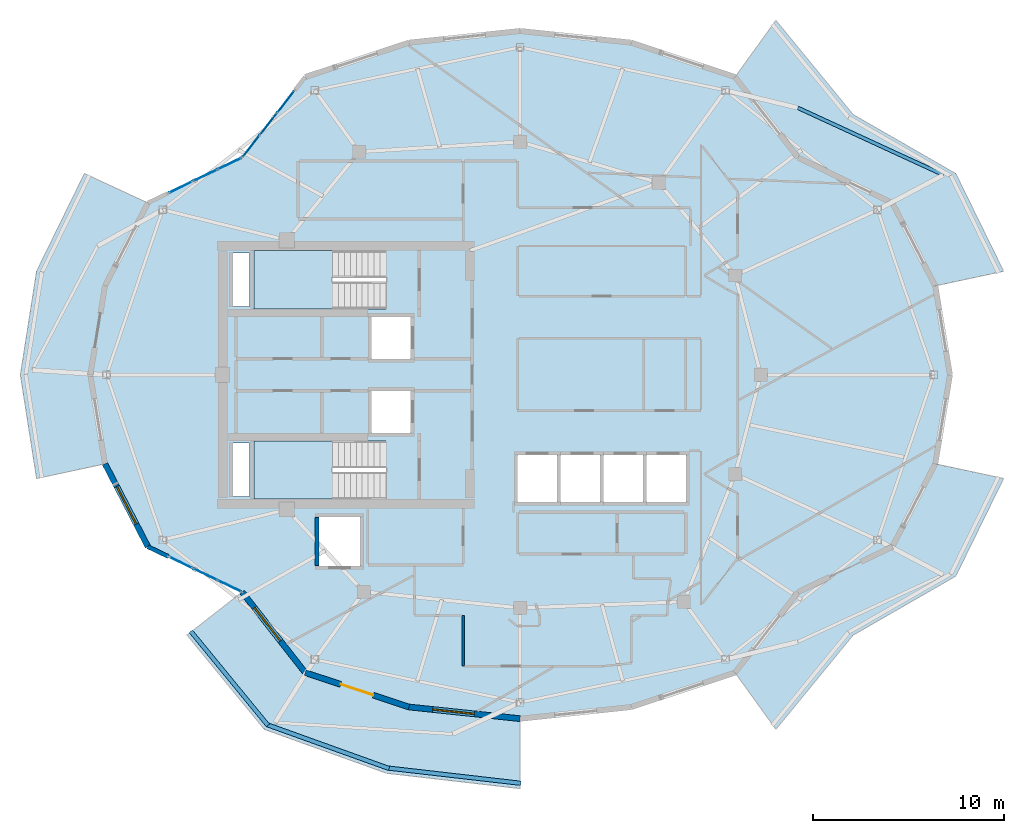
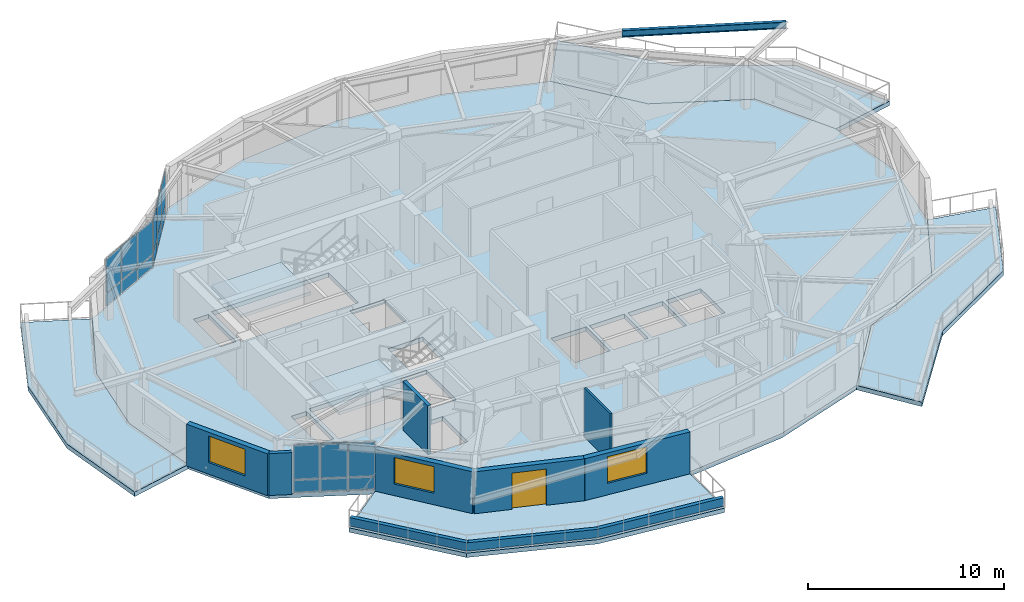
# One storey, part 6 of 14: 21 plates, 10 walls, 7 slabs, 3 windows, 1 beam, 1 door, 4 openings, 5 elements without a shape of their own.
"""IFC4 building model written with IfcOpenShell, lengths in metres."""

import ifcopenshell
import ifcopenshell.guid

model = None  # the IFC model being written
_history = None  # IfcOwnerHistory: only IFC2X3 demands one
_inside = {}  # id of a spatial element -> (the spatial element, [elements in it])
_under = {}  # id of a project, library or spatial element -> (it, [spatial elements below it])
_declared = {}  # id of a project -> (the project, [libraries it declares])
_typed = {}  # id of a type object -> (the type object, [elements of that type])
_made_of = {}  # id of a material, layer set ... -> (it, [elements and type objects made of it])


def new_model(schema):
    """Start an empty IFC model of exactly this schema.

    Asked for "IFC4X3", IfcOpenShell would pick the latest addendum, in which some entities
    have other attributes; the version numbers below select the first issue.
    IFC2X3 requires an IfcOwnerHistory on every rooted entity: one is made here for all.
    """
    global model, _history
    if schema == "IFC4X3":
        model = ifcopenshell.file(schema_version=(4, 3, 0, 0))
    else:
        model = ifcopenshell.file(schema=schema)
    _inside.clear()
    _under.clear()
    _declared.clear()
    _typed.clear()
    _made_of.clear()
    _history = None
    if model.schema == "IFC2X3":
        org = make("IfcOrganization", Name="unknown")
        user = make(
            "IfcPersonAndOrganization",
            ThePerson=make("IfcPerson", FamilyName="unknown"),
            TheOrganization=org,
        )
        app = make(
            "IfcApplication",
            ApplicationDeveloper=org,
            Version="unknown",
            ApplicationFullName="unknown",
            ApplicationIdentifier="unknown",
        )
        _history = make(
            "IfcOwnerHistory",
            OwningUser=user,
            OwningApplication=app,
            ChangeAction="ADDED",
            CreationDate=0,
        )
    return model


def make(cls, **values):
    """One entity of the class cls with the attributes given. An attribute that is None is left unset."""
    return model.create_entity(
        cls, **{name: value for name, value in values.items() if value is not None}
    )


def rooted(cls, **values):
    """An entity with a GlobalId (a new one), such as an element, a storey or a relation."""
    return make(cls, GlobalId=ifcopenshell.guid.new(), OwnerHistory=_history, **values)


def si_unit(unit_type, name, prefix=None):
    """IfcSIUnit, for example si_unit("LENGTHUNIT", "METRE", prefix="MILLI")."""
    return make("IfcSIUnit", UnitType=unit_type, Prefix=prefix, Name=name)


def assignment(units):
    """IfcUnitAssignment: the units of a project."""
    return None if units is None else make("IfcUnitAssignment", Units=units)


def point(xyz):
    """IfcCartesianPoint."""
    return None if xyz is None else make("IfcCartesianPoint", Coordinates=xyz)


def direction(xyz):
    """IfcDirection."""
    return None if xyz is None else make("IfcDirection", DirectionRatios=xyz)


def frame(location, z_axis=None, x_axis=None):
    """IfcAxis2Placement3D, a coordinate frame: its origin and axes. An axis left out is left unset."""
    return make(
        "IfcAxis2Placement3D",
        Location=point(location),
        Axis=direction(z_axis),
        RefDirection=direction(x_axis),
    )


def frame_2d(location, x_axis=None):
    """IfcAxis2Placement2D, a coordinate frame in the plane: its origin and x axis."""
    return make(
        "IfcAxis2Placement2D", Location=point(location), RefDirection=direction(x_axis)
    )


def origin():
    """The frame at (0, 0, 0) with its axes left unset."""
    return frame((0.0, 0.0, 0.0))


def origin_2d():
    """The frame at (0, 0) in the plane with its x axis left unset."""
    return frame_2d((0.0, 0.0))


def place(relative_to, where):
    """IfcLocalPlacement: puts the frame where relative to a parent placement (None: the world)."""
    return make(
        "IfcLocalPlacement", PlacementRelTo=relative_to, RelativePlacement=where
    )


def context(
    kind, dimensions, precision=None, world=None, true_north=None, identifier=None
):
    """IfcGeometricRepresentationContext, for example the 3D "Model" context."""
    return make(
        "IfcGeometricRepresentationContext",
        ContextIdentifier=identifier,
        ContextType=kind,
        CoordinateSpaceDimension=dimensions,
        Precision=precision,
        WorldCoordinateSystem=world,
        TrueNorth=true_north,
    )


def subcontext(parent, identifier, kind, view, scale=None):
    """IfcGeometricRepresentationSubContext, for example "Body" below "Model"."""
    return make(
        "IfcGeometricRepresentationSubContext",
        ContextIdentifier=identifier,
        ContextType=kind,
        ParentContext=parent,
        TargetScale=scale,
        TargetView=view,
    )


def project(units=None, contexts=None):
    """IfcProject with its units and contexts."""
    return rooted(
        "IfcProject",
        Name="project",
        RepresentationContexts=contexts,
        UnitsInContext=assignment(units),
    )


def spatial(cls, under=None, at=None, **own):
    """A site, building, storey or space (cls), placed at a placement, below another one or the project."""
    s = rooted(cls, ObjectPlacement=at, **own)
    if under is not None:
        _under.setdefault(under.id(), (under, []))[1].append(s)
    return s


def polyline(points):
    """IfcPolyline through the points."""
    return make("IfcPolyline", Points=[point(p) for p in points])


def profile(cls, at=None, kind="AREA", **sizes):
    """A parametric profile (cls). Its sizes go by their IFC names, for example OverallWidth=200.0."""
    return make(cls, ProfileType=kind, Position=at, **sizes)


def rectangle(**sizes):
    """IfcRectangleProfileDef."""
    return profile("IfcRectangleProfileDef", **sizes)


def i_section(**sizes):
    """IfcIShapeProfileDef."""
    return profile("IfcIShapeProfileDef", **sizes)


def outline(outer, holes=None, kind="AREA"):
    """IfcArbitraryClosedProfileDef: a profile drawn as a closed curve; with holes, ...WithVoids."""
    if holes is None:
        return make("IfcArbitraryClosedProfileDef", ProfileType=kind, OuterCurve=outer)
    return make(
        "IfcArbitraryProfileDefWithVoids",
        ProfileType=kind,
        OuterCurve=outer,
        InnerCurves=holes,
    )


def extrude(swept, where, along, depth):
    """IfcExtrudedAreaSolid: the profile swept, set in the frame where, extruded along a direction by depth."""
    return make(
        "IfcExtrudedAreaSolid",
        SweptArea=swept,
        Position=where,
        ExtrudedDirection=direction(along),
        Depth=depth,
    )


def shape(context_of_items, identifier, shape_type, items):
    """IfcShapeRepresentation: the items that make up one representation, for example the "Body"."""
    return make(
        "IfcShapeRepresentation",
        ContextOfItems=context_of_items,
        RepresentationIdentifier=identifier,
        RepresentationType=shape_type,
        Items=items,
    )


def material(Name=None, Category=None):
    """IfcMaterial."""
    return make("IfcMaterial", Name=Name, Category=Category)


def layer(
    of_material, thickness, ventilated=None, Name=None, Category=None, Priority=None
):
    """IfcMaterialLayer: one layer of a wall or slab, of a material (None: an air gap)."""
    return make(
        "IfcMaterialLayer",
        Material=of_material,
        LayerThickness=thickness,
        IsVentilated=ventilated,
        Name=Name,
        Category=Category,
        Priority=Priority,
    )


def layer_set(layers, Name=None):
    """IfcMaterialLayerSet."""
    return make("IfcMaterialLayerSet", MaterialLayers=layers, LayerSetName=Name)


def material_profile(
    of_material, cross_section, Name=None, Category=None, Priority=None
):
    """IfcMaterialProfile: a cross section and its material."""
    return make(
        "IfcMaterialProfile",
        Name=Name,
        Material=of_material,
        Profile=cross_section,
        Priority=Priority,
        Category=Category,
    )


def profile_set(profiles, Name=None, composite=None):
    """IfcMaterialProfileSet."""
    return make(
        "IfcMaterialProfileSet",
        Name=Name,
        MaterialProfiles=profiles,
        CompositeProfile=composite,
    )


def made_of(thing, what):
    """Note that an element or type object is made of a material, layer set ...; save() writes the relation."""
    if what is not None:
        _made_of.setdefault(what.id(), (what, []))[1].append(thing)
    return thing


def type_object(cls, material=None, **own):
    """A type object (cls), such as IfcWallType, which elements share."""
    return made_of(rooted(cls, **own), material)


def element(
    cls,
    number,
    at=None,
    inside=None,
    cuts=None,
    type_object=None,
    material=None,
    context=None,
    identifier="Body",
    shape_type=None,
    held_by="IfcProductDefinitionShape",
    body=None,
    shapes=None,
    **own,
):
    """One element of the class cls, such as IfcWall. Its Tag is "e" and its number.

    at: its placement. inside: the storey or other place that contains it. cuts: it is an
    opening in that element (IfcRelVoidsElement). A single representation is given by context,
    identifier, shape_type and body (its items); several are given by shapes. held_by: the class
    of the entity that holds the representations. save() writes the other relations.
    """
    e = rooted(cls, Tag="e%d" % number, ObjectPlacement=at, **own)
    if body is not None:
        shapes = [shape(context, identifier, shape_type, body)]
    if shapes is not None:
        e.Representation = make(held_by, Representations=shapes)
    if inside is not None:
        _inside.setdefault(inside.id(), (inside, []))[1].append(e)
    if cuts is not None:
        rooted(
            "IfcRelVoidsElement", RelatingBuildingElement=cuts, RelatedOpeningElement=e
        )
    if type_object is not None:
        _typed.setdefault(type_object.id(), (type_object, []))[1].append(e)
    return made_of(e, material)


def fill(opening, filler):
    """IfcRelFillsElement: the door or window that sits in an opening."""
    return rooted(
        "IfcRelFillsElement",
        RelatingOpeningElement=opening,
        RelatedBuildingElement=filler,
    )


def aggregate(whole, parts):
    """IfcRelAggregates: a whole, such as a stair, and the parts it consists of."""
    return rooted("IfcRelAggregates", RelatingObject=whole, RelatedObjects=parts)


def save(model, path):
    """Write the relations noted so far, then the file.

    IfcRelAggregates (storeys below a building ...), IfcRelContainedInSpatialStructure (elements
    in a storey), IfcRelDefinesByType, IfcRelAssociatesMaterial and IfcRelDeclares: one each for
    every whole, place, type object, material and project.
    """
    for whole, parts in _under.values():
        aggregate(whole, parts)
    for where, things in _inside.values():
        rooted(
            "IfcRelContainedInSpatialStructure",
            RelatedElements=things,
            RelatingStructure=where,
        )
    for kind, things in _typed.values():
        rooted("IfcRelDefinesByType", RelatedObjects=things, RelatingType=kind)
    for what, things in _made_of.values():
        rooted("IfcRelAssociatesMaterial", RelatedObjects=things, RelatingMaterial=what)
    for by, libraries in _declared.values():
        rooted("IfcRelDeclares", RelatingContext=by, RelatedDefinitions=libraries)
    model.write(path)


model = new_model("IFC4")

# Units and contexts
model_context = context("Model", 3, precision=1e-05, world=origin(), true_north=direction((0.0, 1.0)))
body_context = subcontext(model_context, "Body", "Model", "MODEL_VIEW")
ifc_project = project(units=[si_unit("LENGTHUNIT", "METRE"), si_unit("AREAUNIT", "SQUARE_METRE"), si_unit("VOLUMEUNIT", "CUBIC_METRE"), si_unit("PLANEANGLEUNIT", "RADIAN"), si_unit("MASSUNIT", "GRAM", prefix="KILO")], contexts=[model_context])

# Site, building, storey
site_placement = place(None, origin())
site = spatial("IfcSite", under=ifc_project, at=site_placement, CompositionType="ELEMENT")
building_placement = place(site_placement, origin())
building = spatial("IfcBuilding", under=site, at=building_placement, Name="Kolvaren Gate Tower and Convention Centre", CompositionType="ELEMENT")
storey_placement = place(building_placement, frame((0.0, 0.0, 252.5)))
storey = spatial("IfcBuildingStorey", under=building, at=storey_placement, Name="L68", CompositionType="ELEMENT", Elevation=252.5)

# Beam
ifc_material_1 = material(Name="Structural steel ASTM A992 Grade 345 MPa", Category="steel")
ifc_material_profile = material_profile(ifc_material_1, i_section(OverallWidth=0.180908203125, OverallDepth=0.4169921875, WebThickness=0.010986328125, FlangeThickness=0.018310546875, at=origin_2d()), Name="W410X85")
ifc_profile_set = profile_set([ifc_material_profile], Name="Structural steel ASTM A992 Grade 345 MPa")
beam_type = type_object("IfcBeamType", Name="STR-SP-W410X85", PredefinedType="SPANDREL", material=ifc_profile_set)
beam_placement = place(storey_placement, frame((52.287109375, 37.465576171875, 2.822021484375), z_axis=(-0.908132188817, 0.41868356504, 0.0), x_axis=(-0.41868356504, -0.908132188817, 0.0)))
element("IfcBeam", 1, at=beam_placement, inside=storey, type_object=beam_type, Name="Tower L69 Planted Balcony Header Tie Beam BT-1", PredefinedType="SPANDREL", context=body_context, shape_type="SweptSolid", body=[
    extrude(i_section(OverallWidth=0.180908203125, OverallDepth=0.4169921875, WebThickness=0.010986328125, FlangeThickness=0.018310546875, at=origin_2d()), origin(), (0.0, 0.0, 1.0), 8.390380859375),
])

# Plates
ifc_material_2 = material(Name="Perforated Anodized Bronze Aluminium Sheet 6 mm", Category="aluminium")
ifc_layer_1 = layer(ifc_material_2, 0.011962890625)
ifc_layer_set_1 = layer_set([ifc_layer_1], Name="Perforated Anodized Bronze Aluminium Sheet 6 mm")
plate_type_1 = type_object("IfcPlateType", Name="ARCH-PL-SCREEN-PERF", PredefinedType="SHEET", material=ifc_layer_set_1)
for number, where, z_axis, x_axis, name in (
    (2, (17.223876953125, 40.4794921875, 2.18994140625), (0.0, 0.0, 1.0), (0.616435493395, 0.787405411769, 0.0), "Tower L68 Perforated Bronze Solar Screen SS-08"),
    (3, (13.10595703125, 37.185302734375, 2.18994140625), (0.0, 0.0, 1.0), (0.901357634097, 0.433075530889, 0.0), "Tower L68 Perforated Bronze Solar Screen SS-09"),
    (4, (13.10595703125, 16.814697265625, 2.18994140625), (0.0, 0.0, 1.0), (0.901357634097, -0.433075530889, 0.0), "Tower L68 Perforated Bronze Solar Screen SS-14"),
):
    element("IfcPlate", number, at=place(storey_placement, frame(where, z_axis=z_axis, x_axis=x_axis)), inside=storey, type_object=plate_type_1, Name=name, PredefinedType="SHEET", context=body_context, shape_type="SweptSolid", body=[
        extrude(rectangle(XDim=2.60009765625, YDim=0.011962890625, at=origin_2d()), origin(), (0.0, 0.0, 1.0), 0.840087890625),
    ])

# Curtain wall, plates
ifc_material_3 = material(Name="Anodized Architectural Aluminium Alloy 6063-T6", Category="aluminium")
ifc_layer_2 = layer(ifc_material_3, 0.159912109375)
ifc_layer_set_2 = layer_set([ifc_layer_2], Name="Anodized Architectural Aluminium Alloy 6063-T6")
curtain_wall_type = type_object("IfcCurtainWallType", Name="CW-RES-UNIT", PredefinedType="NOTDEFINED", material=ifc_layer_set_2)
curtain_wall_1_placement = place(storey_placement, origin())
curtain_wall_1 = element("IfcCurtainWall", 5, at=curtain_wall_1_placement, inside=storey, type_object=curtain_wall_type, Name="Tower L68 Unitised Curtain Wall CW-RES-UNIT Bay 08", PredefinedType="NOTDEFINED")
ifc_material_4 = material(Name="Low-E Triple Insulated Glazing Unit 44 mm", Category="glass")
ifc_layer_3 = layer(ifc_material_4, 0.0439453125)
ifc_layer_set_3 = layer_set([ifc_layer_3], Name="Low-E Triple Insulated Glazing Unit 44 mm")
plate_type_2 = type_object("IfcPlateType", Name="CW-PL-IGU-44", PredefinedType="CURTAIN_PANEL", material=ifc_layer_set_3)
plate_1_placement = place(storey_placement, frame((16.04296875, 38.97119140625, 0.882568359375), z_axis=(0.0, 0.0, 1.0), x_axis=(0.61642499112, 0.787413633564, 0.0)))
plate_1 = element("IfcPlate", 6, at=plate_1_placement, type_object=plate_type_2, Name="CW-04 panel 1.2", PredefinedType="CURTAIN_PANEL", context=body_context, shape_type="SweptSolid", body=[
    extrude(rectangle(XDim=1.396240234375, YDim=0.0439453125, at=origin_2d()), origin(), (0.0, 0.0, 1.0), 2.08251953125),
])
plate_2_placement = place(storey_placement, frame((16.953857421875, 40.134521484375, 0.882568359375), z_axis=(0.0, 0.0, 1.0), x_axis=(0.61642499112, 0.787413633564, 0.0)))
plate_2 = element("IfcPlate", 7, at=plate_2_placement, type_object=plate_type_2, Name="CW-04 panel 2.2", PredefinedType="CURTAIN_PANEL", context=body_context, shape_type="SweptSolid", body=[
    extrude(rectangle(XDim=1.4287109375, YDim=0.0439453125, at=origin_2d()), origin(), (0.0, 0.0, 1.0), 2.08251953125),
])
plate_3_placement = place(storey_placement, frame((17.864501953125, 41.2978515625, 0.882568359375), z_axis=(0.0, 0.0, 1.0), x_axis=(0.61642499112, 0.787413633564, 0.0)))
plate_3 = element("IfcPlate", 8, at=plate_3_placement, type_object=plate_type_2, Name="CW-04 panel 3.2", PredefinedType="CURTAIN_PANEL", context=body_context, shape_type="SweptSolid", body=[
    extrude(rectangle(XDim=1.396240234375, YDim=0.0439453125, at=origin_2d()), origin(), (0.0, 0.0, 1.0), 2.08251953125),
])

curtain_wall_2_placement = place(storey_placement, origin())
curtain_wall_2 = element("IfcCurtainWall", 9, at=curtain_wall_2_placement, inside=storey, type_object=curtain_wall_type, Name="Tower L68 Unitised Curtain Wall CW-RES-UNIT Bay 09", PredefinedType="NOTDEFINED")
plate_4_placement = place(storey_placement, frame((12.36328125, 36.828369140625, 0.882568359375), z_axis=(0.0, 0.0, 1.0), x_axis=(0.901361573523, 0.433067331688, 0.0)))
plate_4 = element("IfcPlate", 10, at=plate_4_placement, type_object=plate_type_2, Name="CW-04 panel 1.2", PredefinedType="CURTAIN_PANEL", context=body_context, shape_type="SweptSolid", body=[
    extrude(rectangle(XDim=1.333251953125, YDim=0.0439453125, at=origin_2d()), origin(), (0.0, 0.0, 1.0), 2.08251953125),
])
plate_5_placement = place(storey_placement, frame((13.63818359375, 37.44091796875, 0.882568359375), z_axis=(0.0, 0.0, 1.0), x_axis=(0.901361573523, 0.433067331688, 0.0)))
plate_5 = element("IfcPlate", 11, at=plate_5_placement, type_object=plate_type_2, Name="CW-04 panel 2.2", PredefinedType="CURTAIN_PANEL", context=body_context, shape_type="SweptSolid", body=[
    extrude(rectangle(XDim=1.36572265625, YDim=0.0439453125, at=origin_2d()), origin(), (0.0, 0.0, 1.0), 2.08251953125),
])
plate_6_placement = place(storey_placement, frame((14.913330078125, 38.053466796875, 0.882568359375), z_axis=(0.0, 0.0, 1.0), x_axis=(0.901361573523, 0.433067331688, 0.0)))
plate_6 = element("IfcPlate", 12, at=plate_6_placement, type_object=plate_type_2, Name="CW-04 panel 3.2", PredefinedType="CURTAIN_PANEL", context=body_context, shape_type="SweptSolid", body=[
    extrude(rectangle(XDim=1.333251953125, YDim=0.0439453125, at=origin_2d()), origin(), (0.0, 0.0, 1.0), 2.08251953125),
])

curtain_wall_3_placement = place(storey_placement, origin())
curtain_wall_3 = element("IfcCurtainWall", 13, at=curtain_wall_3_placement, inside=storey, type_object=curtain_wall_type, Name="Tower L68 Unitised Curtain Wall CW-RES-UNIT Bay 14", PredefinedType="NOTDEFINED")
plate_7_placement = place(storey_placement, frame((12.36328125, 17.171630859375, 0.882568359375), z_axis=(0.0, 0.0, 1.0), x_axis=(0.901361573523, -0.433067331688, 0.0)))
plate_7 = element("IfcPlate", 14, at=plate_7_placement, type_object=plate_type_2, Name="CW-04 panel 1.2", PredefinedType="CURTAIN_PANEL", context=body_context, shape_type="SweptSolid", body=[
    extrude(rectangle(XDim=1.333251953125, YDim=0.0439453125, at=origin_2d()), origin(), (0.0, 0.0, 1.0), 2.08251953125),
])
plate_8_placement = place(storey_placement, frame((13.63818359375, 16.55908203125, 0.882568359375), z_axis=(0.0, 0.0, 1.0), x_axis=(0.901361573523, -0.433067331688, 0.0)))
plate_8 = element("IfcPlate", 15, at=plate_8_placement, type_object=plate_type_2, Name="CW-04 panel 2.2", PredefinedType="CURTAIN_PANEL", context=body_context, shape_type="SweptSolid", body=[
    extrude(rectangle(XDim=1.36572265625, YDim=0.0439453125, at=origin_2d()), origin(), (0.0, 0.0, 1.0), 2.08251953125),
])
plate_9_placement = place(storey_placement, frame((14.913330078125, 15.946533203125, 0.882568359375), z_axis=(0.0, 0.0, 1.0), x_axis=(0.901361573523, -0.433067331688, 0.0)))
plate_9 = element("IfcPlate", 16, at=plate_9_placement, type_object=plate_type_2, Name="CW-04 panel 3.2", PredefinedType="CURTAIN_PANEL", context=body_context, shape_type="SweptSolid", body=[
    extrude(rectangle(XDim=1.333251953125, YDim=0.0439453125, at=origin_2d()), origin(), (0.0, 0.0, 1.0), 2.08251953125),
])

# Plate
ifc_material_5 = material(Name="Solar-Control Laminated Curtain Glazing 36 mm", Category="glass")
ifc_layer_4 = layer(ifc_material_5, 0.035888671875)
ifc_layer_set_4 = layer_set([ifc_layer_4], Name="Solar-Control Laminated Curtain Glazing 36 mm")
plate_type_3 = type_object("IfcPlateType", Name="CW-PL-SPAN-36", PredefinedType="CURTAIN_PANEL", material=ifc_layer_set_4)
plate_10_placement = place(storey_placement, frame((16.04296875, 38.97119140625, 0.06494140625), z_axis=(0.0, 0.0, 1.0), x_axis=(0.61642499112, 0.787413633564, 0.0)))
plate_10 = element("IfcPlate", 17, at=plate_10_placement, type_object=plate_type_3, Name="CW-04 panel 1.1", PredefinedType="CURTAIN_PANEL", context=body_context, shape_type="SweptSolid", body=[
    extrude(rectangle(XDim=1.396240234375, YDim=0.035888671875, at=origin_2d()), origin(), (0.0, 0.0, 1.0), 0.75244140625),
])

plate_11_placement = place(storey_placement, frame((16.953857421875, 40.134521484375, 0.06494140625), z_axis=(0.0, 0.0, 1.0), x_axis=(0.61642499112, 0.787413633564, 0.0)))
plate_11 = element("IfcPlate", 18, at=plate_11_placement, type_object=plate_type_3, Name="CW-04 panel 2.1", PredefinedType="CURTAIN_PANEL", context=body_context, shape_type="SweptSolid", body=[
    extrude(rectangle(XDim=1.4287109375, YDim=0.035888671875, at=origin_2d()), origin(), (0.0, 0.0, 1.0), 0.75244140625),
])

plate_12_placement = place(storey_placement, frame((17.864501953125, 41.2978515625, 0.06494140625), z_axis=(0.0, 0.0, 1.0), x_axis=(0.61642499112, 0.787413633564, 0.0)))
plate_12 = element("IfcPlate", 19, at=plate_12_placement, type_object=plate_type_3, Name="CW-04 panel 3.1", PredefinedType="CURTAIN_PANEL", context=body_context, shape_type="SweptSolid", body=[
    extrude(rectangle(XDim=1.396240234375, YDim=0.035888671875, at=origin_2d()), origin(), (0.0, 0.0, 1.0), 0.75244140625),
])

aggregate(curtain_wall_1, [plate_10, plate_1, plate_11, plate_2, plate_12, plate_3])

plate_13_placement = place(storey_placement, frame((12.36328125, 36.828369140625, 0.06494140625), z_axis=(0.0, 0.0, 1.0), x_axis=(0.901361573523, 0.433067331688, 0.0)))
plate_13 = element("IfcPlate", 20, at=plate_13_placement, type_object=plate_type_3, Name="CW-04 panel 1.1", PredefinedType="CURTAIN_PANEL", context=body_context, shape_type="SweptSolid", body=[
    extrude(rectangle(XDim=1.333251953125, YDim=0.035888671875, at=origin_2d()), origin(), (0.0, 0.0, 1.0), 0.75244140625),
])

plate_14_placement = place(storey_placement, frame((13.63818359375, 37.44091796875, 0.06494140625), z_axis=(0.0, 0.0, 1.0), x_axis=(0.901361573523, 0.433067331688, 0.0)))
plate_14 = element("IfcPlate", 21, at=plate_14_placement, type_object=plate_type_3, Name="CW-04 panel 2.1", PredefinedType="CURTAIN_PANEL", context=body_context, shape_type="SweptSolid", body=[
    extrude(rectangle(XDim=1.36572265625, YDim=0.035888671875, at=origin_2d()), origin(), (0.0, 0.0, 1.0), 0.75244140625),
])

plate_15_placement = place(storey_placement, frame((14.913330078125, 38.053466796875, 0.06494140625), z_axis=(0.0, 0.0, 1.0), x_axis=(0.901361573523, 0.433067331688, 0.0)))
plate_15 = element("IfcPlate", 22, at=plate_15_placement, type_object=plate_type_3, Name="CW-04 panel 3.1", PredefinedType="CURTAIN_PANEL", context=body_context, shape_type="SweptSolid", body=[
    extrude(rectangle(XDim=1.333251953125, YDim=0.035888671875, at=origin_2d()), origin(), (0.0, 0.0, 1.0), 0.75244140625),
])

aggregate(curtain_wall_2, [plate_13, plate_4, plate_14, plate_5, plate_15, plate_6])

plate_16_placement = place(storey_placement, frame((12.36328125, 17.171630859375, 0.06494140625), z_axis=(0.0, 0.0, 1.0), x_axis=(0.901361573523, -0.433067331688, 0.0)))
plate_16 = element("IfcPlate", 23, at=plate_16_placement, type_object=plate_type_3, Name="CW-04 panel 1.1", PredefinedType="CURTAIN_PANEL", context=body_context, shape_type="SweptSolid", body=[
    extrude(rectangle(XDim=1.333251953125, YDim=0.035888671875, at=origin_2d()), origin(), (0.0, 0.0, 1.0), 0.75244140625),
])

plate_17_placement = place(storey_placement, frame((13.63818359375, 16.55908203125, 0.06494140625), z_axis=(0.0, 0.0, 1.0), x_axis=(0.901361573523, -0.433067331688, 0.0)))
plate_17 = element("IfcPlate", 24, at=plate_17_placement, type_object=plate_type_3, Name="CW-04 panel 2.1", PredefinedType="CURTAIN_PANEL", context=body_context, shape_type="SweptSolid", body=[
    extrude(rectangle(XDim=1.36572265625, YDim=0.035888671875, at=origin_2d()), origin(), (0.0, 0.0, 1.0), 0.75244140625),
])

plate_18_placement = place(storey_placement, frame((14.913330078125, 15.946533203125, 0.06494140625), z_axis=(0.0, 0.0, 1.0), x_axis=(0.901361573523, -0.433067331688, 0.0)))
plate_18 = element("IfcPlate", 25, at=plate_18_placement, type_object=plate_type_3, Name="CW-04 panel 3.1", PredefinedType="CURTAIN_PANEL", context=body_context, shape_type="SweptSolid", body=[
    extrude(rectangle(XDim=1.333251953125, YDim=0.035888671875, at=origin_2d()), origin(), (0.0, 0.0, 1.0), 0.75244140625),
])

aggregate(curtain_wall_3, [plate_16, plate_7, plate_17, plate_8, plate_18, plate_9])

# Slabs
ifc_material_6 = material(Name="Concrete C50/60", Category="concrete")
ifc_layer_5 = layer(ifc_material_6, 0.27001953125)
ifc_layer_set_5 = layer_set([ifc_layer_5], Name="Concrete C50/60")
slab_type_1 = type_object("IfcSlabType", Name="STR-SL-BALC-270", PredefinedType="FLOOR", material=ifc_layer_set_5)
slab_1_placement = place(storey_placement, frame((0.0, 0.0, -0.27001953125)))
element("IfcSlab", 26, at=slab_1_placement, inside=storey, type_object=slab_type_1, Name="Tower L68 Planted Balcony Terrace Slab 1 (East)", PredefinedType="FLOOR", context=body_context, shape_type="SweptSolid", body=[
    extrude(outline(polyline([(51.8583984375, 31.65869140625), (49.610595703125, 36.0), (44.67724609375, 38.370361328125), (41.375, 42.58837890625), (43.516845703125, 45.556396484375), (47.561279296875, 40.623779296875), (52.933349609375, 37.53466796875), (55.43701171875, 32.42578125), (51.8583984375, 31.65869140625)])), origin(), (0.0, 0.0, 1.0), 0.27001953125),
])
slab_2_placement = place(storey_placement, frame((0.0, 0.0, -0.27001953125)))
element("IfcSlab", 27, at=slab_2_placement, inside=storey, type_object=slab_type_1, Name="Tower L68 Planted Balcony Terrace Slab 2 (West)", PredefinedType="FLOOR", context=body_context, shape_type="SweptSolid", body=[
    extrude(outline(polyline([(10.639404296875, 36.0), (8.3916015625, 31.65869140625), (7.625, 27.0), (8.3916015625, 22.34130859375), (4.81298828125, 21.57421875), (3.965087890625, 27.0), (4.81298828125, 32.42578125), (7.316650390625, 37.53466796875), (10.639404296875, 36.0)])), origin(), (0.0, 0.0, 1.0), 0.27001953125),
])
slab_3_placement = place(storey_placement, frame((0.0, 0.0, -0.27001953125)))
element("IfcSlab", 28, at=slab_3_placement, inside=storey, type_object=slab_type_1, Name="Tower L68 Planted Balcony Terrace Slab 3 (South)", PredefinedType="FLOOR", context=body_context, shape_type="SweptSolid", body=[
    extrude(outline(polyline([(15.57275390625, 15.629638671875), (18.875, 11.41162109375), (24.301513671875, 9.61328125), (30.125, 9.0), (30.125, 5.340087890625), (23.13916015625, 6.142822265625), (16.733154296875, 8.443603515625), (12.688720703125, 13.376220703125), (15.57275390625, 15.629638671875)])), origin(), (0.0, 0.0, 1.0), 0.27001953125),
])
slab_4_placement = place(storey_placement, frame((0.0, 0.0, -0.27001953125)))
element("IfcSlab", 29, at=slab_4_placement, inside=storey, type_object=slab_type_1, Name="Tower L68 Planted Balcony Terrace Slab 4 (East)", PredefinedType="FLOOR", context=body_context, shape_type="SweptSolid", body=[
    extrude(outline(polyline([(41.375, 11.41162109375), (44.67724609375, 15.629638671875), (49.610595703125, 18.0), (51.8583984375, 22.34130859375), (55.43701171875, 21.57421875), (52.933349609375, 16.46533203125), (47.561279296875, 13.376220703125), (43.516845703125, 8.443603515625), (41.375, 11.41162109375)])), origin(), (0.0, 0.0, 1.0), 0.27001953125),
])
ifc_material_7 = material(Name="Concrete C40/50", Category="concrete")
ifc_layer_6 = layer(ifc_material_7, 0.27001953125)
ifc_layer_set_6 = layer_set([ifc_layer_6], Name="Concrete C40/50")
slab_type_2 = type_object("IfcSlabType", Name="STR-SL-FLR-270", PredefinedType="FLOOR", material=ifc_layer_set_6)
slab_5_placement = place(storey_placement, frame((0.0, 0.0, -0.27001953125)))
element("IfcSlab", 30, at=slab_5_placement, inside=storey, type_object=slab_type_2, Name="Tower L68 Structural Floor Slab", PredefinedType="FLOOR", context=body_context, shape_type="SweptSolid", body=[
    extrude(outline(polyline([(52.625, 27.0), (51.8583984375, 31.65869140625), (49.610595703125, 36.0), (44.67724609375, 38.370361328125), (41.375, 42.58837890625), (35.948486328125, 44.38671875), (30.125, 45.0), (24.301513671875, 44.38671875), (18.875, 42.58837890625), (15.57275390625, 38.370361328125), (10.639404296875, 36.0), (8.3916015625, 31.65869140625), (7.625, 27.0), (8.3916015625, 22.34130859375), (10.639404296875, 18.0), (15.57275390625, 15.629638671875), (18.875, 11.41162109375), (24.301513671875, 9.61328125), (30.125, 9.0), (35.948486328125, 9.61328125), (41.375, 11.41162109375), (44.67724609375, 15.629638671875), (49.610595703125, 18.0), (51.8583984375, 22.34130859375), (52.625, 27.0)]), holes=[polyline([(36.75, 20.35009765625), (36.75, 22.800048828125), (38.800048828125, 22.800048828125), (38.800048828125, 20.35009765625), (36.75, 20.35009765625)]), polyline([(36.550048828125, 20.35009765625), (34.5, 20.35009765625), (34.5, 22.800048828125), (36.550048828125, 22.800048828125), (36.550048828125, 20.35009765625)]), polyline([(32.25, 20.35009765625), (32.25, 22.800048828125), (34.300048828125, 22.800048828125), (34.300048828125, 20.35009765625), (32.25, 20.35009765625)]), polyline([(30.0, 20.35009765625), (30.0, 22.800048828125), (32.050048828125, 22.800048828125), (32.050048828125, 20.35009765625), (30.0, 20.35009765625)]), polyline([(22.35009765625, 23.9599609375), (22.35009765625, 26.159912109375), (24.39990234375, 26.159912109375), (24.39990234375, 23.9599609375), (22.35009765625, 23.9599609375)]), polyline([(22.35009765625, 27.840087890625), (22.35009765625, 30.0400390625), (24.39990234375, 30.0400390625), (24.39990234375, 27.840087890625), (22.35009765625, 27.840087890625)]), polyline([(16.199951171875, 23.5400390625), (23.10009765625, 23.5400390625), (23.10009765625, 20.5), (16.199951171875, 20.5), (16.199951171875, 23.5400390625)]), polyline([(16.199951171875, 33.5), (23.10009765625, 33.5), (23.10009765625, 30.4599609375), (16.199951171875, 30.4599609375), (16.199951171875, 33.5)]), polyline([(21.75, 17.0), (19.60009765625, 17.0), (19.60009765625, 19.550048828125), (21.75, 19.550048828125), (21.75, 17.0)]), polyline([(15.080078125, 30.580078125), (15.080078125, 33.3701171875), (15.969970703125, 33.3701171875), (15.969970703125, 30.580078125), (15.080078125, 30.580078125)]), polyline([(15.969970703125, 20.6298828125), (15.080078125, 20.6298828125), (15.080078125, 23.419921875), (15.969970703125, 23.419921875), (15.969970703125, 20.6298828125)])]), origin(), (0.0, 0.0, 1.0), 0.27001953125),
])

# Stair, slab
stair_type = type_object("IfcStairType", Name="STR-STAIR-CORE", PredefinedType="HALF_TURN_STAIR", material=ifc_material_6)
stair_1_placement = place(storey_placement, origin())
stair_1 = element("IfcStair", 31, at=stair_1_placement, inside=storey, type_object=stair_type, Name="L68 Tower North Exit Stair ST-T1", PredefinedType="HALF_TURN_STAIR")
ifc_layer_7 = layer(ifc_material_6, 0.199951171875)
ifc_layer_set_7 = layer_set([ifc_layer_7], Name="Concrete C50/60")
slab_type_3 = type_object("IfcSlabType", Name="STR-SL-LAND-200", PredefinedType="LANDING", material=ifc_layer_set_7)
slab_6_placement = place(storey_placement, frame((0.0, 0.0, 1.449951171875)))
slab_6 = element("IfcSlab", 32, at=slab_6_placement, type_object=slab_type_3, Name="ST-T1 landing 1", PredefinedType="LANDING", context=body_context, shape_type="SweptSolid", body=[
    extrude(outline(polyline([(20.31005859375, 33.5), (16.199951171875, 33.5), (16.199951171875, 30.4599609375), (20.31005859375, 30.4599609375), (20.31005859375, 33.5)])), origin(), (0.0, 0.0, 1.0), 0.199951171875),
])
aggregate(stair_1, [slab_6])

stair_2_placement = place(storey_placement, origin())
stair_2 = element("IfcStair", 33, at=stair_2_placement, inside=storey, type_object=stair_type, Name="L68 Tower South Exit Stair ST-T2", PredefinedType="HALF_TURN_STAIR")
slab_7_placement = place(storey_placement, frame((0.0, 0.0, 1.449951171875)))
slab_7 = element("IfcSlab", 34, at=slab_7_placement, type_object=slab_type_3, Name="ST-T2 landing 1", PredefinedType="LANDING", context=body_context, shape_type="SweptSolid", body=[
    extrude(outline(polyline([(20.31005859375, 23.5400390625), (16.199951171875, 23.5400390625), (16.199951171875, 20.5), (20.31005859375, 20.5), (20.31005859375, 23.5400390625)])), origin(), (0.0, 0.0, 1.0), 0.199951171875),
])
aggregate(stair_2, [slab_7])

# Walls
ifc_material_8 = material(Name="Fire-Rated Acoustic Gypsum Stud Partition", Category="gypsum")
ifc_layer_8 = layer(ifc_material_8, 0.1201171875)
ifc_layer_set_8 = layer_set([ifc_layer_8], Name="Fire-Rated Acoustic Gypsum Stud Partition")
wall_type_1 = type_object("IfcWallType", Name="ARCH-WL-PART-120", PredefinedType="PARTITIONING", material=ifc_layer_set_8)
wall_1_placement = place(storey_placement, frame((27.14990234375, 11.75, 0.0), z_axis=(0.0, 0.0, 1.0), x_axis=(0.0, 1.0, 0.0)))
element("IfcWall", 35, at=wall_1_placement, inside=storey, type_object=wall_type_1, Name="Interior Partition WL-L68-INT-011", PredefinedType="PARTITIONING", context=body_context, shape_type="SweptSolid", body=[
    extrude(rectangle(XDim=2.64990234375, YDim=0.1201171875, at=frame_2d((1.324951171875, 0.0))), origin(), (0.0, 0.0, 1.0), 3.030029296875),
])
ifc_material_9 = material(Name="Bogota Sabana Bush-Hammered Sandstone Cladding", Category="masonry")
ifc_layer_9 = layer(ifc_material_9, 0.219970703125)
ifc_layer_set_9 = layer_set([ifc_layer_9], Name="Bogota Sabana Bush-Hammered Sandstone Cladding")
wall_type_2 = type_object("IfcWallType", Name="ARCH-WL-PIER-220", PredefinedType="SOLIDWALL", material=ifc_layer_set_9)
wall_2_placement = place(storey_placement, frame((10.639404296875, 18.0, 0.0), z_axis=(0.0, 0.0, 1.0), x_axis=(0.901345553578, -0.433100673107, 0.0)))
element("IfcWall", 36, at=wall_2_placement, inside=storey, type_object=wall_type_2, Name="Tower L68 Unitised Curtain Wall CW-RES-UNIT Bay 14 Left Column Pier Wrap", PredefinedType="SOLIDWALL", context=body_context, shape_type="SweptSolid", body=[
    extrude(rectangle(XDim=1.180908203125, YDim=0.219970703125, at=frame_2d((0.59033203125, 0.0))), origin(), (0.0, 0.0, 1.0), 2.60498046875),
])
ifc_material_10 = material(Name="Piedmont Cream Honed Limestone Cladding", Category="masonry")
ifc_layer_10 = layer(ifc_material_10, 0.219970703125)
ifc_layer_set_10 = layer_set([ifc_layer_10], Name="Piedmont Cream Honed Limestone Cladding")
wall_type_3 = type_object("IfcWallType", Name="ARCH-WL-PLANTER-220", PredefinedType="PARAPET", material=ifc_layer_set_10)
wall_3_placement = place(storey_placement, frame((12.88232421875, 13.57861328125, 0.0), z_axis=(0.0, 0.0, 1.0), x_axis=(0.63407318032, -0.77327304492, 0.0)))
element("IfcWall", 37, at=wall_3_placement, inside=storey, type_object=wall_type_3, Name="Vertical-Forest Balcony Stone Planter Kerb PK-L68-3.1", PredefinedType="PARAPET", context=body_context, shape_type="SweptSolid", body=[
    extrude(rectangle(XDim=6.37890625, YDim=0.219970703125, at=frame_2d((3.189453125, 0.0))), origin(), (0.0, 0.0, 1.0), 0.52001953125),
])
wall_4_placement = place(storey_placement, frame((16.86181640625, 8.6923828125, 0.0), z_axis=(0.0, 0.0, 1.0), x_axis=(0.941139090914, -0.338019543152, 0.0)))
element("IfcWall", 38, at=wall_4_placement, inside=storey, type_object=wall_type_3, Name="Vertical-Forest Balcony Stone Planter Kerb PK-L68-3.2", PredefinedType="PARAPET", context=body_context, shape_type="SweptSolid", body=[
    extrude(rectangle(XDim=6.806640625, YDim=0.219970703125, at=frame_2d((3.4033203125, 0.0))), origin(), (0.0, 0.0, 1.0), 0.52001953125),
])
wall_5_placement = place(storey_placement, frame((23.1845703125, 6.419189453125, 0.0), z_axis=(0.0, 0.0, 1.0), x_axis=(0.993458716016, -0.114191854231, 0.0)))
element("IfcWall", 39, at=wall_5_placement, inside=storey, type_object=wall_type_3, Name="Vertical-Forest Balcony Stone Planter Kerb PK-L68-3.3", PredefinedType="PARAPET", context=body_context, shape_type="SweptSolid", body=[
    extrude(rectangle(XDim=7.03173828125, YDim=0.219970703125, at=frame_2d((3.515869140625, 0.0))), origin(), (0.0, 0.0, 1.0), 0.52001953125),
])
ifc_material_11 = material(Name="Autoclaved Aerated Masonry Blockwork Class 4 (4.0 MPa)", Category="masonry")
ifc_layer_11 = layer(ifc_material_11, 0.199951171875)
ifc_layer_set_11 = layer_set([ifc_layer_11], Name="Autoclaved Aerated Masonry Blockwork Class 4 (4.0 MPa)")
wall_type_4 = type_object("IfcWallType", Name="ARCH-WL-SHAFT-200", PredefinedType="SOLIDWALL", material=ifc_layer_set_11)
wall_6_placement = place(storey_placement, frame((19.5, 17.010009765625, 0.0), z_axis=(0.0, 0.0, 1.0), x_axis=(0.0, 1.0, 0.0)))
element("IfcWall", 40, at=wall_6_placement, inside=storey, type_object=wall_type_4, Name="Elevator SV-01 L68 Fire Shaft Wall W", PredefinedType="SOLIDWALL", context=body_context, shape_type="SweptSolid", body=[
    extrude(rectangle(XDim=2.530029296875, YDim=0.199951171875, at=frame_2d((1.26513671875, 0.0))), origin(), (0.0, 0.0, 1.0), 3.030029296875),
])

# Wall, opening, window
ifc_layer_12 = layer(ifc_material_10, 0.300048828125)
ifc_layer_set_12 = layer_set([ifc_layer_12], Name="Piedmont Cream Honed Limestone Cladding")
wall_type_5 = type_object("IfcWallType", Name="ARCH-WL-STONE-300", PredefinedType="SOLIDWALL", material=ifc_layer_set_12)
wall_7_placement = place(storey_placement, frame((8.3916015625, 22.34130859375, 0.0), z_axis=(0.0, 0.0, 1.0), x_axis=(0.459793771602, -0.888025724625, 0.0)))
wall_7 = element("IfcWall", 41, at=wall_7_placement, inside=storey, type_object=wall_type_5, Name="Tower L68 Honed Stone Spandrel Wall EW-13", PredefinedType="SOLIDWALL", context=body_context, shape_type="SweptSolid", body=[
    extrude(rectangle(XDim=4.888671875, YDim=0.300048828125, at=frame_2d((2.4443359375, 0.0))), origin(), (0.0, 0.0, 1.0), 2.60498046875),
])
opening_1_placement = place(wall_7_placement, frame((1.343994140625, 0.0, 0.719970703125)))
opening_1 = element("IfcOpeningElement", 42, at=opening_1_placement, cuts=wall_7, Name="Opening W-03", PredefinedType="OPENING", context=body_context, shape_type="SweptSolid", body=[
    extrude(rectangle(XDim=2.199951171875, YDim=1.64990234375, at=frame_2d((1.10009765625, 0.824951171875))), frame((0.0, 0.159912109375, 0.0), z_axis=(0.0, -1.0, 0.0), x_axis=(1.0, 0.0, 0.0)), (0.0, 0.0, 1.0), 0.320068359375),
])
window_type = type_object("IfcWindowType", Name="ARCH-WN-RES-2200", PartitioningType="SINGLE_PANEL", PredefinedType="WINDOW", material=ifc_material_4)
window_1_placement = place(opening_1_placement, origin())
window_1 = element("IfcWindow", 43, at=window_1_placement, inside=storey, type_object=window_type, Name="Tower L68 Punched Stone Facade Window W-13", OverallHeight=1.64990234375, OverallWidth=2.199951171875, PartitioningType="SINGLE_PANEL", PredefinedType="WINDOW", context=body_context, shape_type="SweptSolid", body=[
    extrude(rectangle(XDim=2.199951171875, YDim=1.64990234375, at=frame_2d((1.10009765625, 0.824951171875))), frame((0.0, 0.030029296875, 0.0), z_axis=(0.0, -1.0, 0.0), x_axis=(1.0, 0.0, 0.0)), (0.0, 0.0, 1.0), 0.06005859375),
])
fill(opening_1, window_1)

wall_8_placement = place(storey_placement, frame((15.57275390625, 15.629638671875, 0.0), z_axis=(0.0, 0.0, 1.0), x_axis=(0.61644588519, -0.787397276241, 0.0)))
wall_8 = element("IfcWall", 44, at=wall_8_placement, inside=storey, type_object=wall_type_5, Name="Tower L68 Honed Stone Spandrel Wall EW-15", PredefinedType="SOLIDWALL", context=body_context, shape_type="SweptSolid", body=[
    extrude(rectangle(XDim=5.35693359375, YDim=0.300048828125, at=frame_2d((2.678466796875, 0.0))), origin(), (0.0, 0.0, 1.0), 2.60498046875),
])
opening_2_placement = place(wall_8_placement, frame((1.050048828125, 0.0, 0.719970703125)))
opening_2 = element("IfcOpeningElement", 45, at=opening_2_placement, cuts=wall_8, Name="Opening W-03", PredefinedType="OPENING", context=body_context, shape_type="SweptSolid", body=[
    extrude(rectangle(XDim=2.199951171875, YDim=1.64990234375, at=frame_2d((1.10009765625, 0.824951171875))), frame((0.0, 0.159912109375, 0.0), z_axis=(0.0, -1.0, 0.0), x_axis=(1.0, 0.0, 0.0)), (0.0, 0.0, 1.0), 0.320068359375),
])
window_2_placement = place(opening_2_placement, origin())
window_2 = element("IfcWindow", 46, at=window_2_placement, inside=storey, type_object=window_type, Name="Tower L68 Punched Stone Facade Window W-15", OverallHeight=1.64990234375, OverallWidth=2.199951171875, PartitioningType="SINGLE_PANEL", PredefinedType="WINDOW", context=body_context, shape_type="SweptSolid", body=[
    extrude(rectangle(XDim=2.199951171875, YDim=1.64990234375, at=frame_2d((1.10009765625, 0.824951171875))), frame((0.0, 0.030029296875, 0.0), z_axis=(0.0, -1.0, 0.0), x_axis=(1.0, 0.0, 0.0)), (0.0, 0.0, 1.0), 0.06005859375),
])
fill(opening_2, window_2)

# Wall, opening, door
wall_9_placement = place(storey_placement, frame((18.875, 11.41162109375, 0.0), z_axis=(0.0, 0.0, 1.0), x_axis=(0.949232769585, -0.314574552605, 0.0)))
wall_9 = element("IfcWall", 47, at=wall_9_placement, inside=storey, type_object=wall_type_5, Name="Tower L68 Honed Stone Spandrel Wall EW-16", PredefinedType="SOLIDWALL", context=body_context, shape_type="SweptSolid", body=[
    extrude(rectangle(XDim=5.716796875, YDim=0.300048828125, at=frame_2d((2.8583984375, 0.0))), origin(), (0.0, 0.0, 1.0), 2.60498046875),
])
opening_3_placement = place(wall_9_placement, frame((1.9580078125, 0.0, 0.0)))
opening_3 = element("IfcOpeningElement", 48, at=opening_3_placement, cuts=wall_9, Name="Opening DB-01", PredefinedType="OPENING", context=body_context, shape_type="SweptSolid", body=[
    extrude(rectangle(XDim=1.800048828125, YDim=2.25, at=frame_2d((0.89990234375, 1.125))), frame((0.0, 0.159912109375, 0.0), z_axis=(0.0, -1.0, 0.0), x_axis=(1.0, 0.0, 0.0)), (0.0, 0.0, 1.0), 0.320068359375),
])
door_type = type_object("IfcDoorType", Name="ARCH-DR-BALC-1800", OperationType="SLIDING_TO_LEFT", PredefinedType="DOOR", material=ifc_material_3)
door_placement = place(opening_3_placement, frame((1.800048828125, 0.0, 0.0), z_axis=(0.0, 0.0, 1.0), x_axis=(-1.0, 0.0, 0.0)))
door = element("IfcDoor", 49, at=door_placement, inside=storey, type_object=door_type, Name="Planted Sky Terrace Access Door DB-L68-16", OperationType="SLIDING_TO_LEFT", OverallHeight=2.25, OverallWidth=1.800048828125, PredefinedType="DOOR", context=body_context, shape_type="SweptSolid", body=[
    extrude(rectangle(XDim=1.800048828125, YDim=2.25, at=frame_2d((0.89990234375, 1.125))), frame((0.0, 0.02490234375, 0.0), z_axis=(0.0, -1.0, 0.0), x_axis=(1.0, 0.0, 0.0)), (0.0, 0.0, 1.0), 0.050048828125),
])
fill(opening_3, door)

# Wall, opening, window
wall_10_placement = place(storey_placement, frame((24.301513671875, 9.61328125, 0.0), z_axis=(0.0, 0.0, 1.0), x_axis=(0.994500425783, -0.10473253132, 0.0)))
wall_10 = element("IfcWall", 50, at=wall_10_placement, inside=storey, type_object=wall_type_5, Name="Tower L68 Honed Stone Spandrel Wall EW-17", PredefinedType="SOLIDWALL", context=body_context, shape_type="SweptSolid", body=[
    extrude(rectangle(XDim=5.855712890625, YDim=0.300048828125, at=frame_2d((2.927734375, 0.0))), origin(), (0.0, 0.0, 1.0), 2.60498046875),
])
opening_4_placement = place(wall_10_placement, frame((1.25, 0.0, 0.719970703125)))
opening_4 = element("IfcOpeningElement", 51, at=opening_4_placement, cuts=wall_10, Name="Opening W-03", PredefinedType="OPENING", context=body_context, shape_type="SweptSolid", body=[
    extrude(rectangle(XDim=2.199951171875, YDim=1.64990234375, at=frame_2d((1.10009765625, 0.824951171875))), frame((0.0, 0.159912109375, 0.0), z_axis=(0.0, -1.0, 0.0), x_axis=(1.0, 0.0, 0.0)), (0.0, 0.0, 1.0), 0.320068359375),
])
window_3_placement = place(opening_4_placement, origin())
window_3 = element("IfcWindow", 52, at=window_3_placement, inside=storey, type_object=window_type, Name="Tower L68 Punched Stone Facade Window W-17", OverallHeight=1.64990234375, OverallWidth=2.199951171875, PartitioningType="SINGLE_PANEL", PredefinedType="WINDOW", context=body_context, shape_type="SweptSolid", body=[
    extrude(rectangle(XDim=2.199951171875, YDim=1.64990234375, at=frame_2d((1.10009765625, 0.824951171875))), frame((0.0, 0.030029296875, 0.0), z_axis=(0.0, -1.0, 0.0), x_axis=(1.0, 0.0, 0.0)), (0.0, 0.0, 1.0), 0.06005859375),
])
fill(opening_4, window_3)

save(model, "model.ifc")
